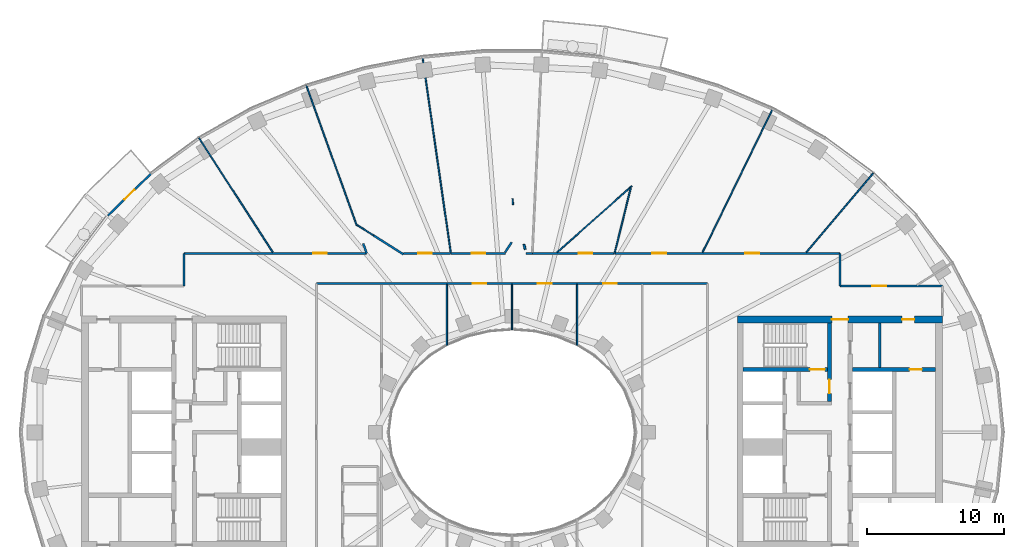
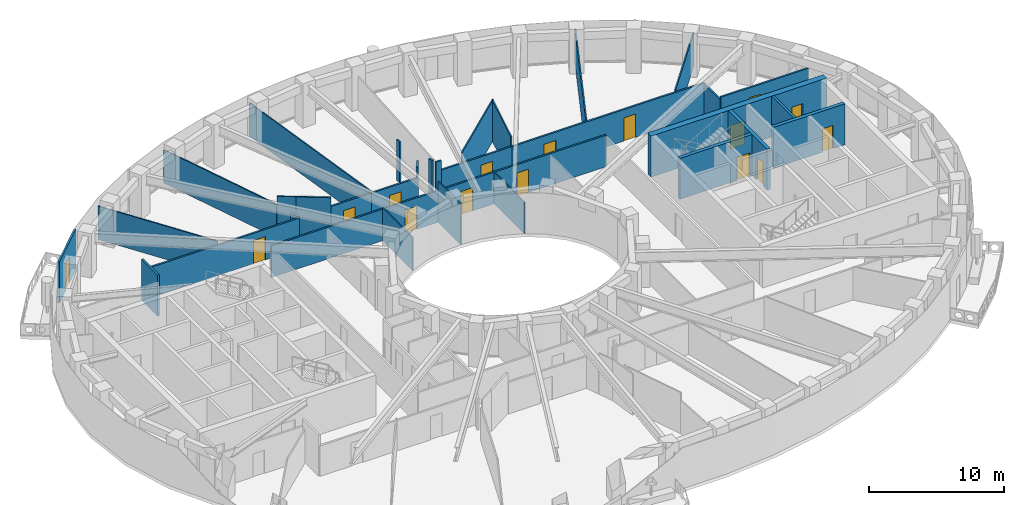
# One storey, part 6 of 16: 32 walls, 16 doors, 16 openings.
"""IFC4 building model written with IfcOpenShell, lengths in metres."""

from ifc_helpers import new_model, si_unit, direction, frame, frame_2d, origin, place, context, subcontext, project, spatial, rectangle, extrude, material, layer, layer_set, type_object, element, fill, save


model = new_model("IFC4")

# Units and contexts
model_context = context("Model", 3, precision=1e-05, world=origin(), true_north=direction((0.0, 1.0)))
body_context = subcontext(model_context, "Body", "Model", "MODEL_VIEW")
ifc_project = project(units=[si_unit("LENGTHUNIT", "METRE"), si_unit("AREAUNIT", "SQUARE_METRE"), si_unit("VOLUMEUNIT", "CUBIC_METRE"), si_unit("PLANEANGLEUNIT", "RADIAN"), si_unit("MASSUNIT", "GRAM", prefix="KILO")], contexts=[model_context])

# Site, building, storey
site_placement = place(None, origin())
site = spatial("IfcSite", under=ifc_project, at=site_placement, CompositionType="ELEMENT")
building_placement = place(site_placement, origin())
building = spatial("IfcBuilding", under=site, at=building_placement, Name="Noorbagh Ring Tower", CompositionType="ELEMENT")
storey_placement = place(building_placement, frame((0.0, 0.0, 237.5)))
storey = spatial("IfcBuildingStorey", under=building, at=storey_placement, Name="L49", CompositionType="ELEMENT", Elevation=237.5)

# Wall
ifc_material_1 = material(Name="Gypsum board on steel studs", Category="steel")
ifc_layer_1 = layer(ifc_material_1, 0.199951171875)
ifc_layer_set_1 = layer_set([ifc_layer_1], Name="Gypsum board on steel studs")
wall_type_1 = type_object("IfcWallType", Name="CORE-PARTITION-200", PredefinedType="PARTITIONING", material=ifc_layer_set_1)
wall_1_placement = place(storey_placement, frame((26.89990234375, 4.75, 0.0), z_axis=(0.0, 0.0, 1.0), x_axis=(0.0, 1.0, 0.0)))
element("IfcWall", 1, at=wall_1_placement, inside=storey, type_object=wall_type_1, Name="Core partition E", PredefinedType="PARTITIONING", context=body_context, shape_type="SweptSolid", body=[
    extrude(rectangle(XDim=3.25, YDim=0.199951171875, at=frame_2d((1.625, 0.0))), origin(), (0.0, 0.0, 1.0), 3.699951171875),
])

# Wall, opening, door
ifc_material_2 = material(Name="Concrete C60/75", Category="concrete")
ifc_layer_2 = layer(ifc_material_2, 0.300048828125)
ifc_layer_set_2 = layer_set([ifc_layer_2], Name="Concrete C60/75")
wall_type_2 = type_object("IfcWallType", Name="CORE-WALL-300-C60-75-EI240", PredefinedType="SHEAR", material=ifc_layer_set_2)
wall_2_placement = place(storey_placement, frame((24.89990234375, 4.60009765625, 0.0), z_axis=(0.0, 0.0, 1.0), x_axis=(1.0, 0.0, 0.0)))
wall_2 = element("IfcWall", 2, at=wall_2_placement, inside=storey, type_object=wall_type_2, Name="Core wall E", PredefinedType="SHEAR", context=body_context, shape_type="SweptSolid", body=[
    extrude(rectangle(XDim=6.10009765625, YDim=0.300048828125, at=frame_2d((3.050048828125, 0.0))), origin(), (0.0, 0.0, 1.0), 3.699951171875),
])
opening_1_placement = place(wall_2_placement, frame((4.199951171875, 0.0, 0.0)))
opening_1 = element("IfcOpeningElement", 3, at=opening_1_placement, cuts=wall_2, Name="Opening L49-CE17", PredefinedType="OPENING", context=body_context, shape_type="SweptSolid", body=[
    extrude(rectangle(XDim=0.89990234375, YDim=2.10009765625, at=frame_2d((0.449951171875, 1.050048828125))), frame((0.0, 0.16015625, 0.0), z_axis=(0.0, -1.0, 0.0), x_axis=(1.0, 0.0, 0.0)), (0.0, 0.0, 1.0), 0.320068359375),
])
ifc_material_3 = material(Name="Steel door leaf", Category="steel")
door_type_1 = type_object("IfcDoorType", Name="CORE-DOOR-DROOM", OperationType="SINGLE_SWING_LEFT", PredefinedType="DOOR", material=ifc_material_3)
door_1_placement = place(opening_1_placement, origin())
door_1 = element("IfcDoor", 4, at=door_1_placement, inside=storey, type_object=door_type_1, Name="Core room door L49-CE17", OperationType="SINGLE_SWING_RIGHT", OverallHeight=2.10009765625, OverallWidth=0.89990234375, PredefinedType="DOOR", context=body_context, shape_type="SweptSolid", body=[
    extrude(rectangle(XDim=0.89990234375, YDim=2.10009765625, at=frame_2d((0.449951171875, 1.050048828125))), frame((0.0, 0.02490234375, 0.0), z_axis=(0.0, -1.0, 0.0), x_axis=(1.0, 0.0, 0.0)), (0.0, 0.0, 1.0), 0.050048828125),
])
fill(opening_1, door_1)

wall_3_placement = place(storey_placement, frame((23.22998046875, 2.25, 0.0), z_axis=(0.0, 0.0, 1.0), x_axis=(0.0, 1.0, 0.0)))
wall_3 = element("IfcWall", 5, at=wall_3_placement, inside=storey, type_object=wall_type_2, Name="Core wall E", PredefinedType="SHEAR", context=body_context, shape_type="SweptSolid", body=[
    extrude(rectangle(XDim=5.75, YDim=0.300048828125, at=frame_2d((2.875, 0.0))), origin(), (0.0, 0.0, 1.0), 3.699951171875),
])
opening_2_placement = place(wall_3_placement, frame((0.60009765625, 0.0, 0.0)))
opening_2 = element("IfcOpeningElement", 6, at=opening_2_placement, cuts=wall_3, Name="Opening L49-CE10", PredefinedType="OPENING", context=body_context, shape_type="SweptSolid", body=[
    extrude(rectangle(XDim=1.0, YDim=2.10009765625, at=frame_2d((0.5, 1.050048828125))), frame((0.0, 0.16015625, 0.0), z_axis=(0.0, -1.0, 0.0), x_axis=(1.0, 0.0, 0.0)), (0.0, 0.0, 1.0), 0.320068359375),
])
ifc_material_4 = material(Name="Steel door leaf", Category="steel")
door_type_2 = type_object("IfcDoorType", Name="CORE-DOOR-DVEST", OperationType="SINGLE_SWING_LEFT", PredefinedType="DOOR", material=ifc_material_4)
door_2_placement = place(opening_2_placement, origin())
door_2 = element("IfcDoor", 7, at=door_2_placement, inside=storey, type_object=door_type_2, Name="Stair vestibule door L49-CE10", OperationType="SINGLE_SWING_RIGHT", OverallHeight=2.10009765625, OverallWidth=1.0, PredefinedType="DOOR", context=body_context, shape_type="SweptSolid", body=[
    extrude(rectangle(XDim=1.0, YDim=2.10009765625, at=frame_2d((0.5, 1.050048828125))), frame((0.0, 0.02490234375, 0.0), z_axis=(0.0, -1.0, 0.0), x_axis=(1.0, 0.0, 0.0)), (0.0, 0.0, 1.0), 0.050048828125),
])
fill(opening_2, door_2)

wall_4_placement = place(storey_placement, frame((16.89990234375, 4.60009765625, 0.0), z_axis=(0.0, 0.0, 1.0), x_axis=(1.0, 0.0, 0.0)))
wall_4 = element("IfcWall", 8, at=wall_4_placement, inside=storey, type_object=wall_type_2, Name="Core wall E", PredefinedType="SHEAR", context=body_context, shape_type="SweptSolid", body=[
    extrude(rectangle(XDim=6.18017578125, YDim=0.300048828125, at=frame_2d((3.090087890625, 0.0))), origin(), (0.0, 0.0, 1.0), 3.699951171875),
])
opening_3_placement = place(wall_4_placement, frame((4.89990234375, 0.0, 0.0)))
opening_3 = element("IfcOpeningElement", 9, at=opening_3_placement, cuts=wall_4, Name="Opening L49-CE07", PredefinedType="OPENING", context=body_context, shape_type="SweptSolid", body=[
    extrude(rectangle(XDim=1.10009765625, YDim=2.10009765625, at=frame_2d((0.550048828125, 1.050048828125))), frame((0.0, 0.16015625, 0.0), z_axis=(0.0, -1.0, 0.0), x_axis=(1.0, 0.0, 0.0)), (0.0, 0.0, 1.0), 0.320068359375),
])
ifc_material_5 = material(Name="Steel door leaf", Category="steel")
door_type_3 = type_object("IfcDoorType", Name="CORE-DOOR-DSTAIR", OperationType="SINGLE_SWING_LEFT", PredefinedType="DOOR", material=ifc_material_5)
door_3_placement = place(opening_3_placement, origin())
door_3 = element("IfcDoor", 10, at=door_3_placement, inside=storey, type_object=door_type_3, Name="Stair door ST3 L49-CE07", OperationType="SINGLE_SWING_LEFT", OverallHeight=2.10009765625, OverallWidth=1.10009765625, PredefinedType="DOOR", context=body_context, shape_type="SweptSolid", body=[
    extrude(rectangle(XDim=1.10009765625, YDim=2.10009765625, at=frame_2d((0.550048828125, 1.050048828125))), frame((0.0, 0.02490234375, 0.0), z_axis=(0.0, -1.0, 0.0), x_axis=(1.0, 0.0, 0.0)), (0.0, 0.0, 1.0), 0.050048828125),
])
fill(opening_3, door_3)

# Wall, openings, doors
ifc_material_6 = material(Name="Concrete C60/75", Category="concrete")
ifc_layer_3 = layer(ifc_material_6, 0.5)
ifc_layer_set_3 = layer_set([ifc_layer_3], Name="Concrete C60/75")
wall_type_3 = type_object("IfcWallType", Name="CORE-WALL-500-C60-75-EI240", PredefinedType="SHEAR", material=ifc_layer_set_3)
wall_5_placement = place(storey_placement, frame((16.5, 8.25, 0.0), z_axis=(0.0, 0.0, 1.0), x_axis=(1.0, 0.0, 0.0)))
wall_5 = element("IfcWall", 11, at=wall_5_placement, inside=storey, type_object=wall_type_3, Name="Core wall E", PredefinedType="SHEAR", context=body_context, shape_type="SweptSolid", body=[
    extrude(rectangle(XDim=15.0, YDim=0.5, at=frame_2d((7.5, 0.0))), origin(), (0.0, 0.0, 1.0), 3.699951171875),
])
opening_4_placement = place(wall_5_placement, frame((6.89990234375, 0.0, 0.0)))
opening_4 = element("IfcOpeningElement", 12, at=opening_4_placement, cuts=wall_5, Name="Opening L49-CE11", PredefinedType="OPENING", context=body_context, shape_type="SweptSolid", body=[
    extrude(rectangle(XDim=1.199951171875, YDim=2.10009765625, at=frame_2d((0.60009765625, 1.050048828125))), frame((0.0, 0.260009765625, 0.0), z_axis=(0.0, -1.0, 0.0), x_axis=(1.0, 0.0, 0.0)), (0.0, 0.0, 1.0), 0.52001953125),
])
opening_5_placement = place(wall_5_placement, frame((12.050048828125, 0.0, 0.0)))
opening_5 = element("IfcOpeningElement", 13, at=opening_5_placement, cuts=wall_5, Name="Opening L49-CE14", PredefinedType="OPENING", context=body_context, shape_type="SweptSolid", body=[
    extrude(rectangle(XDim=0.89990234375, YDim=2.10009765625, at=frame_2d((0.449951171875, 1.050048828125))), frame((0.0, 0.260009765625, 0.0), z_axis=(0.0, -1.0, 0.0), x_axis=(1.0, 0.0, 0.0)), (0.0, 0.0, 1.0), 0.52001953125),
])
door_4_placement = place(opening_5_placement, origin())
door_4 = element("IfcDoor", 14, at=door_4_placement, inside=storey, type_object=door_type_1, Name="Core room door L49-CE14", OperationType="SINGLE_SWING_LEFT", OverallHeight=2.10009765625, OverallWidth=0.89990234375, PredefinedType="DOOR", context=body_context, shape_type="SweptSolid", body=[
    extrude(rectangle(XDim=0.89990234375, YDim=2.10009765625, at=frame_2d((0.449951171875, 1.050048828125))), frame((0.0, 0.02490234375, 0.0), z_axis=(0.0, -1.0, 0.0), x_axis=(1.0, 0.0, 0.0)), (0.0, 0.0, 1.0), 0.050048828125),
])
fill(opening_5, door_4)
ifc_material_7 = material(Name="Steel door leaf", Category="steel")
door_type_4 = type_object("IfcDoorType", Name="CORE-DOOR-PORT", OperationType="DOUBLE_DOOR_DOUBLE_SWING", PredefinedType="DOOR", material=ifc_material_7)
door_5_placement = place(opening_4_placement, origin())
door_5 = element("IfcDoor", 15, at=door_5_placement, inside=storey, type_object=door_type_4, Name="Core entrance door L49-CE11", OperationType="DOUBLE_DOOR_DOUBLE_SWING", OverallHeight=2.10009765625, OverallWidth=1.199951171875, PredefinedType="DOOR", context=body_context, shape_type="SweptSolid", body=[
    extrude(rectangle(XDim=1.199951171875, YDim=2.10009765625, at=frame_2d((0.60009765625, 1.050048828125))), frame((0.0, 0.02490234375, 0.0), z_axis=(0.0, -1.0, 0.0), x_axis=(1.0, 0.0, 0.0)), (0.0, 0.0, 1.0), 0.050048828125),
])
fill(opening_4, door_5)

# Wall
ifc_material_8 = material(Name="Gypsum board on steel studs", Category="steel")
ifc_layer_4 = layer(ifc_material_8, 0.14990234375)
ifc_layer_set_4 = layer_set([ifc_layer_4], Name="Gypsum board on steel studs")
wall_type_4 = type_object("IfcWallType", Name="CORRIDOR PARTITION 150 EI 30", PredefinedType="PARTITIONING", material=ifc_layer_set_4)
wall_6_placement = place(storey_placement, frame((-24.0, 10.699951171875, 0.0), z_axis=(0.0, 0.0, 1.0), x_axis=(0.0, 1.0, 0.0)))
element("IfcWall", 16, at=wall_6_placement, inside=storey, type_object=wall_type_4, Name="L49/wall/P09", PredefinedType="PARTITIONING", context=body_context, shape_type="SweptSolid", body=[
    extrude(rectangle(XDim=2.400146484375, YDim=0.14990234375, at=frame_2d((1.2001953125, 0.0))), origin(), (0.0, 0.0, 1.0), 3.699951171875),
])

# Wall, opening, door
wall_7_placement = place(storey_placement, frame((-24.0, 13.10009765625, 0.0), z_axis=(0.0, 0.0, 1.0), x_axis=(1.0, 0.0, 0.0)))
wall_7 = element("IfcWall", 17, at=wall_7_placement, inside=storey, type_object=wall_type_4, Name="L49/wall/P10", PredefinedType="PARTITIONING", context=body_context, shape_type="SweptSolid", body=[
    extrude(rectangle(XDim=13.35693359375, YDim=0.14990234375, at=frame_2d((6.678466796875, 0.0))), origin(), (0.0, 0.0, 1.0), 2.75),
])
opening_6_placement = place(wall_7_placement, frame((9.45703125, 0.0, 0.0)))
opening_6 = element("IfcOpeningElement", 18, at=opening_6_placement, cuts=wall_7, Name="Opening D1", PredefinedType="OPENING", context=body_context, shape_type="SweptSolid", body=[
    extrude(rectangle(XDim=1.0, YDim=2.10009765625, at=frame_2d((0.5, 1.050048828125))), frame((0.0, 0.0849609375, 0.0), z_axis=(0.0, -1.0, 0.0), x_axis=(1.0, 0.0, 0.0)), (0.0, 0.0, 1.0), 0.169921875),
])
ifc_material_9 = material(Name="Timber, painted", Category="wood")
door_type_5 = type_object("IfcDoorType", Name="DOOR 1000 X 2100 FD30", OperationType="SINGLE_SWING_LEFT", PredefinedType="DOOR", material=ifc_material_9)
door_6_placement = place(opening_6_placement, origin())
door_6 = element("IfcDoor", 19, at=door_6_placement, inside=storey, type_object=door_type_5, Name="L49-D10", OperationType="SINGLE_SWING_RIGHT", OverallHeight=2.10009765625, OverallWidth=1.0, PredefinedType="DOOR", context=body_context, shape_type="SweptSolid", body=[
    extrude(rectangle(XDim=1.0, YDim=2.10009765625, at=frame_2d((0.5, 1.050048828125))), frame((0.0, 0.02490234375, 0.0), z_axis=(0.0, -1.0, 0.0), x_axis=(1.0, 0.0, 0.0)), (0.0, 0.0, 1.0), 0.050048828125),
])
fill(opening_6, door_6)

# Wall, openings, doors
wall_8_placement = place(storey_placement, frame((-14.300048828125, 10.89990234375, 0.0), z_axis=(0.0, 0.0, 1.0), x_axis=(1.0, 0.0, 0.0)))
wall_8 = element("IfcWall", 20, at=wall_8_placement, inside=storey, type_object=wall_type_4, Name="L49/wall/P17", PredefinedType="PARTITIONING", context=body_context, shape_type="SweptSolid", body=[
    extrude(rectangle(XDim=28.60009765625, YDim=0.14990234375, at=frame_2d((14.300048828125, 0.0))), origin(), (0.0, 0.0, 1.0), 2.85009765625),
])
opening_7_placement = place(wall_8_placement, frame((11.43310546875, 0.0, 0.0)))
opening_7 = element("IfcOpeningElement", 21, at=opening_7_placement, cuts=wall_8, Name="Opening D1", PredefinedType="OPENING", context=body_context, shape_type="SweptSolid", body=[
    extrude(rectangle(XDim=1.0, YDim=2.10009765625, at=frame_2d((0.5, 1.050048828125))), frame((0.0, 0.0849609375, 0.0), z_axis=(0.0, -1.0, 0.0), x_axis=(1.0, 0.0, 0.0)), (0.0, 0.0, 1.0), 0.169921875),
])
opening_8_placement = place(wall_8_placement, frame((16.199951171875, 0.0, 0.0)))
opening_8 = element("IfcOpeningElement", 22, at=opening_8_placement, cuts=wall_8, Name="Opening D1", PredefinedType="OPENING", context=body_context, shape_type="SweptSolid", body=[
    extrude(rectangle(XDim=1.0, YDim=2.10009765625, at=frame_2d((0.5, 1.050048828125))), frame((0.0, 0.0849609375, 0.0), z_axis=(0.0, -1.0, 0.0), x_axis=(1.0, 0.0, 0.0)), (0.0, 0.0, 1.0), 0.169921875),
])
opening_9_placement = place(wall_8_placement, frame((20.967041015625, 0.0, 0.0)))
opening_9 = element("IfcOpeningElement", 23, at=opening_9_placement, cuts=wall_8, Name="Opening D1", PredefinedType="OPENING", context=body_context, shape_type="SweptSolid", body=[
    extrude(rectangle(XDim=1.0, YDim=2.10009765625, at=frame_2d((0.5, 1.050048828125))), frame((0.0, 0.0849609375, 0.0), z_axis=(0.0, -1.0, 0.0), x_axis=(1.0, 0.0, 0.0)), (0.0, 0.0, 1.0), 0.169921875),
])
door_7_placement = place(opening_7_placement, origin())
door_7 = element("IfcDoor", 24, at=door_7_placement, inside=storey, type_object=door_type_5, Name="L49-D26", OperationType="SINGLE_SWING_RIGHT", OverallHeight=2.10009765625, OverallWidth=1.0, PredefinedType="DOOR", context=body_context, shape_type="SweptSolid", body=[
    extrude(rectangle(XDim=1.0, YDim=2.10009765625, at=frame_2d((0.5, 1.050048828125))), frame((0.0, 0.02490234375, 0.0), z_axis=(0.0, -1.0, 0.0), x_axis=(1.0, 0.0, 0.0)), (0.0, 0.0, 1.0), 0.050048828125),
])
fill(opening_7, door_7)
door_8_placement = place(opening_8_placement, origin())
door_8 = element("IfcDoor", 25, at=door_8_placement, inside=storey, type_object=door_type_5, Name="L49-D28", OperationType="SINGLE_SWING_RIGHT", OverallHeight=2.10009765625, OverallWidth=1.0, PredefinedType="DOOR", context=body_context, shape_type="SweptSolid", body=[
    extrude(rectangle(XDim=1.0, YDim=2.10009765625, at=frame_2d((0.5, 1.050048828125))), frame((0.0, 0.02490234375, 0.0), z_axis=(0.0, -1.0, 0.0), x_axis=(1.0, 0.0, 0.0)), (0.0, 0.0, 1.0), 0.050048828125),
])
fill(opening_8, door_8)
door_9_placement = place(opening_9_placement, origin())
door_9 = element("IfcDoor", 26, at=door_9_placement, inside=storey, type_object=door_type_5, Name="L49-D29", OperationType="SINGLE_SWING_LEFT", OverallHeight=2.10009765625, OverallWidth=1.0, PredefinedType="DOOR", context=body_context, shape_type="SweptSolid", body=[
    extrude(rectangle(XDim=1.0, YDim=2.10009765625, at=frame_2d((0.5, 1.050048828125))), frame((0.0, 0.02490234375, 0.0), z_axis=(0.0, -1.0, 0.0), x_axis=(1.0, 0.0, 0.0)), (0.0, 0.0, 1.0), 0.050048828125),
])
fill(opening_9, door_9)

# Walls
wall_9_placement = place(storey_placement, frame((-10.887939453125, 13.81396484375, 0.0), z_axis=(0.0, 0.0, 1.0), x_axis=(0.337396703232, -0.941362557492, 0.0)))
element("IfcWall", 27, at=wall_9_placement, inside=storey, type_object=wall_type_4, Name="L49/wall/P27", PredefinedType="PARTITIONING", context=body_context, shape_type="SweptSolid", body=[
    extrude(rectangle(XDim=0.75830078125, YDim=0.14990234375, at=frame_2d((0.379150390625, 0.0))), origin(), (0.0, 0.0, 1.0), 2.85009765625),
])
wall_10_placement = place(storey_placement, frame((-10.136962890625, 14.4130859375, 0.0), z_axis=(0.0, 0.0, 1.0), x_axis=(0.844665601723, -0.535294331434, 0.0)))
element("IfcWall", 28, at=wall_10_placement, inside=storey, type_object=wall_type_4, Name="L49/wall/P29", PredefinedType="PARTITIONING", context=body_context, shape_type="SweptSolid", body=[
    extrude(rectangle(XDim=2.589111328125, YDim=0.14990234375, at=frame_2d((1.29443359375, 0.0))), origin(), (0.0, 0.0, 1.0), 3.699951171875),
])

# Wall, opening, door
wall_11_placement = place(storey_placement, frame((-7.925048828125, 13.10009765625, 0.0), z_axis=(0.0, 0.0, 1.0), x_axis=(1.0, 0.0, 0.0)))
wall_11 = element("IfcWall", 29, at=wall_11_placement, inside=storey, type_object=wall_type_4, Name="L49/wall/P34", PredefinedType="PARTITIONING", context=body_context, shape_type="SweptSolid", body=[
    extrude(rectangle(XDim=3.43212890625, YDim=0.14990234375, at=frame_2d((1.716064453125, 0.0))), origin(), (0.0, 0.0, 1.0), 2.85009765625),
])
opening_10_placement = place(wall_11_placement, frame((1.052001953125, 0.0, 0.0)))
opening_10 = element("IfcOpeningElement", 30, at=opening_10_placement, cuts=wall_11, Name="Opening D1", PredefinedType="OPENING", context=body_context, shape_type="SweptSolid", body=[
    extrude(rectangle(XDim=1.0, YDim=2.10009765625, at=frame_2d((0.5, 1.050048828125))), frame((0.0, 0.0849609375, 0.0), z_axis=(0.0, -1.0, 0.0), x_axis=(1.0, 0.0, 0.0)), (0.0, 0.0, 1.0), 0.169921875),
])
door_10_placement = place(opening_10_placement, origin())
door_10 = element("IfcDoor", 31, at=door_10_placement, inside=storey, type_object=door_type_5, Name="L49-D12", OperationType="SINGLE_SWING_RIGHT", OverallHeight=2.10009765625, OverallWidth=1.0, PredefinedType="DOOR", context=body_context, shape_type="SweptSolid", body=[
    extrude(rectangle(XDim=1.0, YDim=2.10009765625, at=frame_2d((0.5, 1.050048828125))), frame((0.0, 0.02490234375, 0.0), z_axis=(0.0, -1.0, 0.0), x_axis=(1.0, 0.0, 0.0)), (0.0, 0.0, 1.0), 0.050048828125),
])
fill(opening_10, door_10)

wall_12_placement = place(storey_placement, frame((-4.472900390625, 13.10009765625, 0.0), z_axis=(0.0, 0.0, 1.0), x_axis=(1.0, 0.0, 0.0)))
wall_12 = element("IfcWall", 32, at=wall_12_placement, inside=storey, type_object=wall_type_4, Name="L49/wall/P38", PredefinedType="PARTITIONING", context=body_context, shape_type="SweptSolid", body=[
    extrude(rectangle(XDim=4.014892578125, YDim=0.14990234375, at=frame_2d((2.00732421875, 0.0))), origin(), (0.0, 0.0, 1.0), 2.85009765625),
])
opening_11_placement = place(wall_12_placement, frame((1.52587890625, 0.0, 0.0)))
opening_11 = element("IfcOpeningElement", 33, at=opening_11_placement, cuts=wall_12, Name="Opening D1", PredefinedType="OPENING", context=body_context, shape_type="SweptSolid", body=[
    extrude(rectangle(XDim=1.0, YDim=2.10009765625, at=frame_2d((0.5, 1.050048828125))), frame((0.0, 0.0849609375, 0.0), z_axis=(0.0, -1.0, 0.0), x_axis=(1.0, 0.0, 0.0)), (0.0, 0.0, 1.0), 0.169921875),
])
door_11_placement = place(opening_11_placement, origin())
door_11 = element("IfcDoor", 34, at=door_11_placement, inside=storey, type_object=door_type_5, Name="L49-D13", OperationType="SINGLE_SWING_LEFT", OverallHeight=2.10009765625, OverallWidth=1.0, PredefinedType="DOOR", context=body_context, shape_type="SweptSolid", body=[
    extrude(rectangle(XDim=1.0, YDim=2.10009765625, at=frame_2d((0.5, 1.050048828125))), frame((0.0, 0.02490234375, 0.0), z_axis=(0.0, -1.0, 0.0), x_axis=(1.0, 0.0, 0.0)), (0.0, 0.0, 1.0), 0.050048828125),
])
fill(opening_11, door_11)

# Walls
wall_13_placement = place(storey_placement, frame((-0.4990234375, 13.175048828125, 0.0), z_axis=(0.0, 0.0, 1.0), x_axis=(0.542927329512, 0.839779682339, 0.0)))
element("IfcWall", 35, at=wall_13_placement, inside=storey, type_object=wall_type_4, Name="L49/wall/P41", PredefinedType="PARTITIONING", context=body_context, shape_type="SweptSolid", body=[
    extrude(rectangle(XDim=0.875, YDim=0.14990234375, at=frame_2d((0.4375, 0.0))), origin(), (0.0, 0.0, 1.0), 3.699951171875),
])
wall_14_placement = place(storey_placement, frame((0.8740234375, 13.7548828125, 0.0), z_axis=(0.0, 0.0, 1.0), x_axis=(0.239662093978, -0.970856364613, 0.0)))
element("IfcWall", 36, at=wall_14_placement, inside=storey, type_object=wall_type_4, Name="L49/wall/P49", PredefinedType="PARTITIONING", context=body_context, shape_type="SweptSolid", body=[
    extrude(rectangle(XDim=0.3798828125, YDim=0.14990234375, at=frame_2d((0.18994140625, 0.0))), origin(), (0.0, 0.0, 1.0), 3.699951171875),
])
wall_15_placement = place(storey_placement, frame((1.035888671875, 13.10009765625, 0.0), z_axis=(0.0, 0.0, 1.0), x_axis=(1.0, 0.0, 0.0)))
element("IfcWall", 37, at=wall_15_placement, inside=storey, type_object=wall_type_4, Name="L49/wall/P51", PredefinedType="PARTITIONING", context=body_context, shape_type="SweptSolid", body=[
    extrude(rectangle(XDim=0.4501953125, YDim=0.14990234375, at=frame_2d((0.22509765625, 0.0))), origin(), (0.0, 0.0, 1.0), 3.699951171875),
])

# Wall, opening, door
wall_16_placement = place(storey_placement, frame((1.506103515625, 13.10009765625, 0.0), z_axis=(0.0, 0.0, 1.0), x_axis=(1.0, 0.0, 0.0)))
wall_16 = element("IfcWall", 38, at=wall_16_placement, inside=storey, type_object=wall_type_4, Name="L49/wall/P53", PredefinedType="PARTITIONING", context=body_context, shape_type="SweptSolid", body=[
    extrude(rectangle(XDim=6.0009765625, YDim=0.14990234375, at=frame_2d((3.00048828125, 0.0))), origin(), (0.0, 0.0, 1.0), 2.85009765625),
])
opening_12_placement = place(wall_16_placement, frame((3.367919921875, 0.0, 0.0)))
opening_12 = element("IfcOpeningElement", 39, at=opening_12_placement, cuts=wall_16, Name="Opening D1", PredefinedType="OPENING", context=body_context, shape_type="SweptSolid", body=[
    extrude(rectangle(XDim=1.0, YDim=2.10009765625, at=frame_2d((0.5, 1.050048828125))), frame((0.0, 0.0849609375, 0.0), z_axis=(0.0, -1.0, 0.0), x_axis=(1.0, 0.0, 0.0)), (0.0, 0.0, 1.0), 0.169921875),
])
door_12_placement = place(opening_12_placement, origin())
door_12 = element("IfcDoor", 40, at=door_12_placement, inside=storey, type_object=door_type_5, Name="L49-D15", OperationType="SINGLE_SWING_LEFT", OverallHeight=2.10009765625, OverallWidth=1.0, PredefinedType="DOOR", context=body_context, shape_type="SweptSolid", body=[
    extrude(rectangle(XDim=1.0, YDim=2.10009765625, at=frame_2d((0.5, 1.050048828125))), frame((0.0, 0.02490234375, 0.0), z_axis=(0.0, -1.0, 0.0), x_axis=(1.0, 0.0, 0.0)), (0.0, 0.0, 1.0), 0.050048828125),
])
fill(opening_12, door_12)

# Wall, openings, doors
wall_17_placement = place(storey_placement, frame((7.52392578125, 13.10009765625, 0.0), z_axis=(0.0, 0.0, 1.0), x_axis=(1.0, 0.0, 0.0)))
wall_17 = element("IfcWall", 41, at=wall_17_placement, inside=storey, type_object=wall_type_4, Name="L49/wall/P61", PredefinedType="PARTITIONING", context=body_context, shape_type="SweptSolid", body=[
    extrude(rectangle(XDim=16.47607421875, YDim=0.14990234375, at=frame_2d((8.238037109375, 0.0))), origin(), (0.0, 0.0, 1.0), 2.85009765625),
])
opening_13_placement = place(wall_17_placement, frame((2.74609375, 0.0, 0.0)))
opening_13 = element("IfcOpeningElement", 42, at=opening_13_placement, cuts=wall_17, Name="Opening D1", PredefinedType="OPENING", context=body_context, shape_type="SweptSolid", body=[
    extrude(rectangle(XDim=1.0, YDim=2.10009765625, at=frame_2d((0.5, 1.050048828125))), frame((0.0, 0.0849609375, 0.0), z_axis=(0.0, -1.0, 0.0), x_axis=(1.0, 0.0, 0.0)), (0.0, 0.0, 1.0), 0.169921875),
])
opening_14_placement = place(wall_17_placement, frame((9.56005859375, 0.0, 0.0)))
opening_14 = element("IfcOpeningElement", 43, at=opening_14_placement, cuts=wall_17, Name="Opening D1", PredefinedType="OPENING", context=body_context, shape_type="SweptSolid", body=[
    extrude(rectangle(XDim=1.0, YDim=2.10009765625, at=frame_2d((0.5, 1.050048828125))), frame((0.0, 0.0849609375, 0.0), z_axis=(0.0, -1.0, 0.0), x_axis=(1.0, 0.0, 0.0)), (0.0, 0.0, 1.0), 0.169921875),
])
door_13_placement = place(opening_13_placement, origin())
door_13 = element("IfcDoor", 44, at=door_13_placement, inside=storey, type_object=door_type_5, Name="L49-D17", OperationType="SINGLE_SWING_LEFT", OverallHeight=2.10009765625, OverallWidth=1.0, PredefinedType="DOOR", context=body_context, shape_type="SweptSolid", body=[
    extrude(rectangle(XDim=1.0, YDim=2.10009765625, at=frame_2d((0.5, 1.050048828125))), frame((0.0, 0.02490234375, 0.0), z_axis=(0.0, -1.0, 0.0), x_axis=(1.0, 0.0, 0.0)), (0.0, 0.0, 1.0), 0.050048828125),
])
fill(opening_13, door_13)
door_14_placement = place(opening_14_placement, origin())
door_14 = element("IfcDoor", 45, at=door_14_placement, inside=storey, type_object=door_type_5, Name="L49-D19", OperationType="SINGLE_SWING_LEFT", OverallHeight=2.10009765625, OverallWidth=1.0, PredefinedType="DOOR", context=body_context, shape_type="SweptSolid", body=[
    extrude(rectangle(XDim=1.0, YDim=2.10009765625, at=frame_2d((0.5, 1.050048828125))), frame((0.0, 0.02490234375, 0.0), z_axis=(0.0, -1.0, 0.0), x_axis=(1.0, 0.0, 0.0)), (0.0, 0.0, 1.0), 0.050048828125),
])
fill(opening_14, door_14)

# Wall
wall_18_placement = place(storey_placement, frame((24.0, 10.699951171875, 0.0), z_axis=(0.0, 0.0, 1.0), x_axis=(0.0, 1.0, 0.0)))
element("IfcWall", 46, at=wall_18_placement, inside=storey, type_object=wall_type_4, Name="L49/wall/P70", PredefinedType="PARTITIONING", context=body_context, shape_type="SweptSolid", body=[
    extrude(rectangle(XDim=2.400146484375, YDim=0.14990234375, at=frame_2d((1.2001953125, 0.0))), origin(), (0.0, 0.0, 1.0), 2.75),
])

# Wall, opening, door
wall_19_placement = place(storey_placement, frame((24.0, 10.699951171875, 0.0), z_axis=(0.0, 0.0, 1.0), x_axis=(1.0, 0.0, 0.0)))
wall_19 = element("IfcWall", 47, at=wall_19_placement, inside=storey, type_object=wall_type_4, Name="L49/wall/P71", PredefinedType="PARTITIONING", context=body_context, shape_type="SweptSolid", body=[
    extrude(rectangle(XDim=7.5, YDim=0.14990234375, at=frame_2d((3.75, 0.0))), origin(), (0.0, 0.0, 1.0), 3.0),
])
opening_15_placement = place(wall_19_placement, frame((2.37109375, 0.0, 0.0)))
opening_15 = element("IfcOpeningElement", 48, at=opening_15_placement, cuts=wall_19, Name="Opening D1", PredefinedType="OPENING", context=body_context, shape_type="SweptSolid", body=[
    extrude(rectangle(XDim=1.0, YDim=2.10009765625, at=frame_2d((0.5, 1.050048828125))), frame((0.0, 0.0849609375, 0.0), z_axis=(0.0, -1.0, 0.0), x_axis=(1.0, 0.0, 0.0)), (0.0, 0.0, 1.0), 0.169921875),
])
door_15_placement = place(opening_15_placement, origin())
door_15 = element("IfcDoor", 49, at=door_15_placement, inside=storey, type_object=door_type_5, Name="L49-D21", OperationType="SINGLE_SWING_LEFT", OverallHeight=2.10009765625, OverallWidth=1.0, PredefinedType="DOOR", context=body_context, shape_type="SweptSolid", body=[
    extrude(rectangle(XDim=1.0, YDim=2.10009765625, at=frame_2d((0.5, 1.050048828125))), frame((0.0, 0.02490234375, 0.0), z_axis=(0.0, -1.0, 0.0), x_axis=(1.0, 0.0, 0.0)), (0.0, 0.0, 1.0), 0.050048828125),
])
fill(opening_15, door_15)

ifc_material_10 = material(Name="Insulated aluminium clad panel", Category="aluminium")
ifc_layer_5 = layer(ifc_material_10, 0.14990234375)
ifc_layer_set_5 = layer_set([ifc_layer_5], Name="Insulated aluminium clad panel")
wall_type_5 = type_object("IfcWallType", Name="ENV-WALL-DOOR", PredefinedType="STANDARD", material=ifc_layer_set_5)
wall_20_placement = place(storey_placement, frame((-26.396484375, 18.943359375, 0.0), z_axis=(0.0, 0.0, 1.0), x_axis=(-0.717214761864, -0.696852197647, 0.0)))
wall_20 = element("IfcWall", 50, at=wall_20_placement, inside=storey, type_object=wall_type_5, Name="Balcony door wall chord 19", PredefinedType="STANDARD", context=body_context, shape_type="SweptSolid", body=[
    extrude(rectangle(XDim=4.424072265625, YDim=0.14990234375, at=frame_2d((2.2119140625, 0.0))), origin(), (0.0, 0.0, 1.0), 3.699951171875),
])
opening_16_placement = place(wall_20_placement, frame((1.712158203125, 0.0, 0.0)))
opening_16 = element("IfcOpeningElement", 51, at=opening_16_placement, cuts=wall_20, Name="Opening D-BL", PredefinedType="OPENING", context=body_context, shape_type="SweptSolid", body=[
    extrude(rectangle(XDim=1.0, YDim=2.39990234375, at=frame_2d((0.5, 1.199951171875))), frame((0.0, 0.0849609375, 0.0), z_axis=(0.0, -1.0, 0.0), x_axis=(1.0, 0.0, 0.0)), (0.0, 0.0, 1.0), 0.169921875),
])
ifc_material_11 = material(Name="Aluminium and glass", Category="aluminium")
door_type_6 = type_object("IfcDoorType", Name="ENV-DOOR-BALCONY", OperationType="SINGLE_SWING_LEFT", PredefinedType="DOOR", material=ifc_material_11)
door_16_placement = place(opening_16_placement, origin())
door_16 = element("IfcDoor", 52, at=door_16_placement, inside=storey, type_object=door_type_6, Name="Balcony door chord 19", OperationType="SINGLE_SWING_RIGHT", OverallHeight=2.39990234375, OverallWidth=1.0, PredefinedType="DOOR", context=body_context, shape_type="SweptSolid", body=[
    extrude(rectangle(XDim=1.0, YDim=2.39990234375, at=frame_2d((0.5, 1.199951171875))), frame((0.0, 0.02490234375, 0.0), z_axis=(0.0, -1.0, 0.0), x_axis=(1.0, 0.0, 0.0)), (0.0, 0.0, 1.0), 0.050048828125),
])
fill(opening_16, door_16)

# Walls
ifc_material_12 = material(Name="Gypsum board on steel studs", Category="steel")
ifc_layer_6 = layer(ifc_material_12, 0.10009765625)
ifc_layer_set_6 = layer_set([ifc_layer_6], Name="Gypsum board on steel studs")
wall_type_6 = type_object("IfcWallType", Name="PARTITION 100 GYPSUM", PredefinedType="PARTITIONING", material=ifc_layer_set_6)
wall_21_placement = place(storey_placement, frame((-22.905029296875, 21.5419921875, 0.0), z_axis=(0.0, 0.0, 1.0), x_axis=(0.542277075573, -0.840199722273, 0.0)))
element("IfcWall", 53, at=wall_21_placement, inside=storey, type_object=wall_type_6, Name="L49/wall/P12", PredefinedType="PARTITIONING", context=body_context, shape_type="SweptSolid", body=[
    extrude(rectangle(XDim=9.958251953125, YDim=0.10009765625, at=frame_2d((4.97900390625, 0.0))), origin(), (0.0, 0.0, 1.0), 3.0),
])
wall_22_placement = place(storey_placement, frame((-15.048095703125, 25.383056640625, 0.0), z_axis=(0.0, 0.0, 1.0), x_axis=(0.338406105684, -0.941000163462, 0.0)))
element("IfcWall", 54, at=wall_22_placement, inside=storey, type_object=wall_type_6, Name="L49/wall/P14", PredefinedType="PARTITIONING", context=body_context, shape_type="SweptSolid", body=[
    extrude(rectangle(XDim=10.898193359375, YDim=0.10009765625, at=frame_2d((5.44921875, 0.0))), origin(), (0.0, 0.0, 1.0), 3.0),
])
wall_23_placement = place(storey_placement, frame((-11.319091796875, 15.160888671875, 0.0), z_axis=(0.0, 0.0, 1.0), x_axis=(0.845102975348, -0.534603555037, 0.0)))
element("IfcWall", 55, at=wall_23_placement, inside=storey, type_object=wall_type_6, Name="L49/wall/P25", PredefinedType="PARTITIONING", context=body_context, shape_type="SweptSolid", body=[
    extrude(rectangle(XDim=1.398681640625, YDim=0.10009765625, at=frame_2d((0.69921875, 0.0))), origin(), (0.0, 0.0, 1.0), 3.699951171875),
])
wall_24_placement = place(storey_placement, frame((-6.552001953125, 27.48095703125, 0.0), z_axis=(0.0, 0.0, 1.0), x_axis=(0.143086579044, -0.989710175202, 0.0)))
element("IfcWall", 56, at=wall_24_placement, inside=storey, type_object=wall_type_6, Name="L49/wall/P35", PredefinedType="PARTITIONING", context=body_context, shape_type="SweptSolid", body=[
    extrude(rectangle(XDim=14.5302734375, YDim=0.10009765625, at=frame_2d((7.26513671875, 0.0))), origin(), (0.0, 0.0, 1.0), 3.0),
])
wall_25_placement = place(storey_placement, frame((-4.76708984375, 6.363037109375, 0.0), z_axis=(0.0, 0.0, 1.0), x_axis=(0.0, 1.0, 0.0)))
element("IfcWall", 57, at=wall_25_placement, inside=storey, type_object=wall_type_6, Name="L49/wall/P37", PredefinedType="PARTITIONING", context=body_context, shape_type="SweptSolid", body=[
    extrude(rectangle(XDim=4.4619140625, YDim=0.10009765625, at=frame_2d((2.23095703125, 0.0))), origin(), (0.0, 0.0, 1.0), 3.0),
])
wall_26_placement = place(storey_placement, frame((0.0, 7.50390625, 0.0), z_axis=(0.0, 0.0, 1.0), x_axis=(0.0, 1.0, 0.0)))
element("IfcWall", 58, at=wall_26_placement, inside=storey, type_object=wall_type_6, Name="L49/wall/P44", PredefinedType="PARTITIONING", context=body_context, shape_type="SweptSolid", body=[
    extrude(rectangle(XDim=3.321044921875, YDim=0.10009765625, at=frame_2d((1.66064453125, 0.0))), origin(), (0.0, 0.0, 1.0), 3.699951171875),
])
wall_27_placement = place(storey_placement, frame((0.049072265625, 17.0810546875, 0.0), z_axis=(0.0, 0.0, 1.0), x_axis=(0.047263912187, -0.998882436829, 0.0)))
element("IfcWall", 59, at=wall_27_placement, inside=storey, type_object=wall_type_6, Name="L49/wall/P46", PredefinedType="PARTITIONING", context=body_context, shape_type="SweptSolid", body=[
    extrude(rectangle(XDim=0.423583984375, YDim=0.10009765625, at=frame_2d((0.2119140625, 0.0))), origin(), (0.0, 0.0, 1.0), 3.699951171875),
])
wall_28_placement = place(storey_placement, frame((3.300048828125, 13.177978515625, 0.0), z_axis=(0.0, 0.0, 1.0), x_axis=(0.749078819432, 0.662480884462, 0.0)))
element("IfcWall", 60, at=wall_28_placement, inside=storey, type_object=wall_type_6, Name="L49/wall/P55", PredefinedType="PARTITIONING", context=body_context, shape_type="SweptSolid", body=[
    extrude(rectangle(XDim=7.307373046875, YDim=0.10009765625, at=frame_2d((3.65380859375, 0.0))), origin(), (0.0, 0.0, 1.0), 3.699951171875),
])
wall_29_placement = place(storey_placement, frame((4.76708984375, 6.363037109375, 0.0), z_axis=(0.0, 0.0, 1.0), x_axis=(0.0, 1.0, 0.0)))
element("IfcWall", 61, at=wall_29_placement, inside=storey, type_object=wall_type_6, Name="L49/wall/P57", PredefinedType="PARTITIONING", context=body_context, shape_type="SweptSolid", body=[
    extrude(rectangle(XDim=4.4619140625, YDim=0.10009765625, at=frame_2d((2.23095703125, 0.0))), origin(), (0.0, 0.0, 1.0), 2.85009765625),
])
wall_30_placement = place(storey_placement, frame((7.507080078125, 13.10009765625, 0.0), z_axis=(0.0, 0.0, 1.0), x_axis=(0.239848980266, 0.970810211455, 0.0)))
element("IfcWall", 62, at=wall_30_placement, inside=storey, type_object=wall_type_6, Name="L49/wall/P59", PredefinedType="PARTITIONING", context=body_context, shape_type="SweptSolid", body=[
    extrude(rectangle(XDim=4.91943359375, YDim=0.10009765625, at=frame_2d((2.459716796875, 0.0))), origin(), (0.0, 0.0, 1.0), 3.699951171875),
])
wall_31_placement = place(storey_placement, frame((13.947998046875, 13.175048828125, 0.0), z_axis=(0.0, 0.0, 1.0), x_axis=(0.439190294188, 0.898394059136, 0.0)))
element("IfcWall", 63, at=wall_31_placement, inside=storey, type_object=wall_type_6, Name="L49/wall/P64", PredefinedType="PARTITIONING", context=body_context, shape_type="SweptSolid", body=[
    extrude(rectangle(XDim=11.69873046875, YDim=0.10009765625, at=frame_2d((5.849365234375, 0.0))), origin(), (0.0, 0.0, 1.0), 3.0),
])
wall_32_placement = place(storey_placement, frame((21.5419921875, 13.175048828125, 0.0), z_axis=(0.0, 0.0, 1.0), x_axis=(0.646374865928, 0.763020008058, 0.0)))
element("IfcWall", 64, at=wall_32_placement, inside=storey, type_object=wall_type_6, Name="L49/wall/P67", PredefinedType="PARTITIONING", context=body_context, shape_type="SweptSolid", body=[
    extrude(rectangle(XDim=7.56201171875, YDim=0.10009765625, at=frame_2d((3.781005859375, 0.0))), origin(), (0.0, 0.0, 1.0), 3.0),
])

save(model, "model.ifc")
